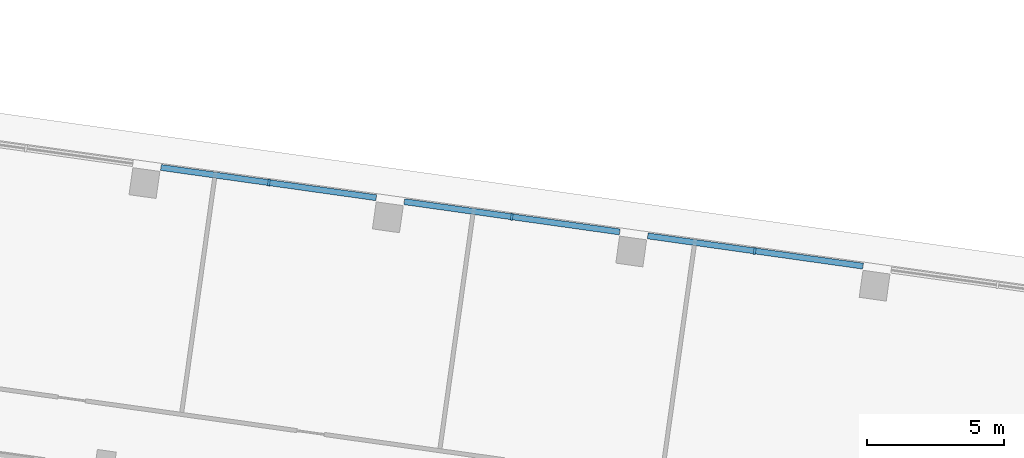
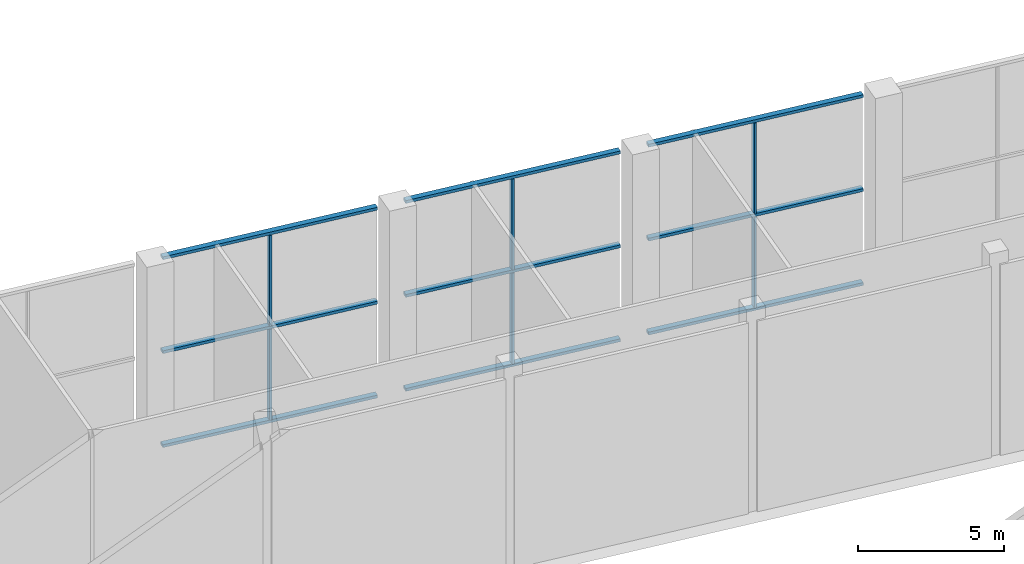
# One storey, part 3 of 31: 15 members, 1 element without a shape of its own.
"""IFC4 building model written with IfcOpenShell, lengths in metres."""

from ifc_helpers import new_model, si_unit, direction, frame, origin, origin_2d, place, context, subcontext, project, spatial, rectangle, extrude, material, material_profile, profile_set, type_object, element, aggregate, save


model = new_model("IFC4")

# Units and contexts
model_context = context("Model", 3, precision=1e-05, world=origin(), true_north=direction((0.0, 1.0)))
body_context = subcontext(model_context, "Body", "Model", "MODEL_VIEW")
ifc_project = project(units=[si_unit("LENGTHUNIT", "METRE"), si_unit("AREAUNIT", "SQUARE_METRE"), si_unit("VOLUMEUNIT", "CUBIC_METRE"), si_unit("PLANEANGLEUNIT", "RADIAN"), si_unit("MASSUNIT", "GRAM", prefix="KILO")], contexts=[model_context])

# Site, building, storey
site_placement = place(None, origin())
site = spatial("IfcSite", under=ifc_project, at=site_placement, CompositionType="ELEMENT")
building_placement = place(site_placement, origin())
building = spatial("IfcBuilding", under=site, at=building_placement, Name="Mirante Cascada Hotel Towers", CompositionType="ELEMENT")
storey_placement = place(building_placement, frame((0.0, 0.0, 9.0)))
storey = spatial("IfcBuildingStorey", under=building, at=storey_placement, Name="L01", CompositionType="ELEMENT", Elevation=9.0)

# Curtain wall, members
ifc_material_1 = material(Name="Aluminium mullion and transom frame with clear laminated glass", Category="aluminium")
curtain_wall_type = type_object("IfcCurtainWallType", Name="Podium curtain wall ECW3", PredefinedType="NOTDEFINED", material=ifc_material_1)
curtain_wall_placement = place(storey_placement, origin())
curtain_wall = element("IfcCurtainWall", 1, at=curtain_wall_placement, inside=storey, type_object=curtain_wall_type, Name="Front podium glazing T1 L01", PredefinedType="NOTDEFINED")
ifc_material_2 = material(Name="Anodised aluminium extrusion", Category="aluminium")
ifc_material_profile_1 = material_profile(ifc_material_2, rectangle(XDim=0.26, YDim=0.08, at=origin_2d()), Name="ECW3 MULLION 80x260")
ifc_profile_set_1 = profile_set([ifc_material_profile_1], Name="Anodised aluminium extrusion")
member_type_1 = type_object("IfcMemberType", Name="ECW3 mullion 80x260", PredefinedType="MULLION", material=ifc_profile_set_1)
member_1_placement = place(storey_placement, frame((-67.4737, 22.3018, 0.12), z_axis=(0.0, 0.0, 1.0), x_axis=(0.1391731, 0.9902681, 0.0)))
member_1 = element("IfcMember", 2, at=member_1_placement, type_object=member_type_1, Name="ECW3 mullion 7", PredefinedType="MULLION", context=body_context, shape_type="SweptSolid", body=[
    extrude(rectangle(XDim=0.26, YDim=0.08, at=origin_2d()), origin(), (0.0, 0.0, 1.0), 3.82),
])
member_2_placement = place(storey_placement, frame((-67.4737, 22.3018, 4.06), z_axis=(0.0, 0.0, 1.0), x_axis=(0.1391731, 0.9902681, 0.0)))
member_2 = element("IfcMember", 3, at=member_2_placement, type_object=member_type_1, Name="ECW3 mullion 7", PredefinedType="MULLION", context=body_context, shape_type="SweptSolid", body=[
    extrude(rectangle(XDim=0.26, YDim=0.08, at=origin_2d()), origin(), (0.0, 0.0, 1.0), 3.82),
])
member_3_placement = place(storey_placement, frame((-58.5788, 21.0517, 0.12), z_axis=(0.0, 0.0, 1.0), x_axis=(0.1391731, 0.9902681, 0.0)))
member_3 = element("IfcMember", 4, at=member_3_placement, type_object=member_type_1, Name="ECW3 mullion 9", PredefinedType="MULLION", context=body_context, shape_type="SweptSolid", body=[
    extrude(rectangle(XDim=0.26, YDim=0.08, at=origin_2d()), origin(), (0.0, 0.0, 1.0), 3.82),
])
member_4_placement = place(storey_placement, frame((-58.5788, 21.0517, 4.06), z_axis=(0.0, 0.0, 1.0), x_axis=(0.1391731, 0.9902681, 0.0)))
member_4 = element("IfcMember", 5, at=member_4_placement, type_object=member_type_1, Name="ECW3 mullion 9", PredefinedType="MULLION", context=body_context, shape_type="SweptSolid", body=[
    extrude(rectangle(XDim=0.26, YDim=0.08, at=origin_2d()), origin(), (0.0, 0.0, 1.0), 3.82),
])
member_5_placement = place(storey_placement, frame((-49.684, 19.8017, 0.12), z_axis=(0.0, 0.0, 1.0), x_axis=(0.1391731, 0.9902681, 0.0)))
member_5 = element("IfcMember", 6, at=member_5_placement, type_object=member_type_1, Name="ECW3 mullion 11", PredefinedType="MULLION", context=body_context, shape_type="SweptSolid", body=[
    extrude(rectangle(XDim=0.26, YDim=0.08, at=origin_2d()), origin(), (0.0, 0.0, 1.0), 3.82),
])
member_6_placement = place(storey_placement, frame((-49.684, 19.8017, 4.06), z_axis=(0.0, 0.0, 1.0), x_axis=(0.1391731, 0.9902681, 0.0)))
member_6 = element("IfcMember", 7, at=member_6_placement, type_object=member_type_1, Name="ECW3 mullion 11", PredefinedType="MULLION", context=body_context, shape_type="SweptSolid", body=[
    extrude(rectangle(XDim=0.26, YDim=0.08, at=origin_2d()), origin(), (0.0, 0.0, 1.0), 3.82),
])
ifc_material_3 = material(Name="Anodised aluminium extrusion", Category="aluminium")
ifc_material_profile_2 = material_profile(ifc_material_3, rectangle(XDim=0.22, YDim=0.12, at=origin_2d()), Name="ECW3 TRANSOM 120x220")
ifc_profile_set_2 = profile_set([ifc_material_profile_2], Name="Anodised aluminium extrusion")
member_type_2 = type_object("IfcMemberType", Name="ECW3 transom 120x220", PredefinedType="USERDEFINED", material=ifc_profile_set_2)
member_7_placement = place(storey_placement, frame((-71.4237, 22.857, 0.06), z_axis=(0.9902683, -0.1391715, 0.0), x_axis=(0.1391715, 0.9902683, 0.0)))
member_7 = element("IfcMember", 8, at=member_7_placement, type_object=member_type_2, Name="ECW3 sill transom", ObjectType="TRANSOM", PredefinedType="USERDEFINED", context=body_context, shape_type="SweptSolid", body=[
    extrude(rectangle(XDim=0.22, YDim=0.12, at=origin_2d()), origin(), (0.0, 0.0, 1.0), 7.96),
])
member_8_placement = place(storey_placement, frame((-62.5113, 21.6044, 0.06), z_axis=(0.9902683, -0.1391715, 0.0), x_axis=(0.1391715, 0.9902683, 0.0)))
member_8 = element("IfcMember", 9, at=member_8_placement, type_object=member_type_2, Name="ECW3 sill transom", ObjectType="TRANSOM", PredefinedType="USERDEFINED", context=body_context, shape_type="SweptSolid", body=[
    extrude(rectangle(XDim=0.22, YDim=0.12, at=origin_2d()), origin(), (0.0, 0.0, 1.0), 7.96),
])
member_9_placement = place(storey_placement, frame((-53.5989, 20.3519, 0.06), z_axis=(0.9902666, -0.1391838, 0.0), x_axis=(0.1391838, 0.9902666, 0.0)))
member_9 = element("IfcMember", 10, at=member_9_placement, type_object=member_type_2, Name="ECW3 sill transom", ObjectType="TRANSOM", PredefinedType="USERDEFINED", context=body_context, shape_type="SweptSolid", body=[
    extrude(rectangle(XDim=0.22, YDim=0.12, at=origin_2d()), origin(), (0.0, 0.0, 1.0), 7.96),
])
member_10_placement = place(storey_placement, frame((-71.4237, 22.857, 4.0), z_axis=(0.9902683, -0.1391715, 0.0), x_axis=(0.1391715, 0.9902683, 0.0)))
member_10 = element("IfcMember", 11, at=member_10_placement, type_object=member_type_2, Name="ECW3 intermediate transom", ObjectType="TRANSOM", PredefinedType="USERDEFINED", context=body_context, shape_type="SweptSolid", body=[
    extrude(rectangle(XDim=0.22, YDim=0.12, at=origin_2d()), origin(), (0.0, 0.0, 1.0), 7.96),
])
member_11_placement = place(storey_placement, frame((-62.5113, 21.6044, 4.0), z_axis=(0.9902683, -0.1391715, 0.0), x_axis=(0.1391715, 0.9902683, 0.0)))
member_11 = element("IfcMember", 12, at=member_11_placement, type_object=member_type_2, Name="ECW3 intermediate transom", ObjectType="TRANSOM", PredefinedType="USERDEFINED", context=body_context, shape_type="SweptSolid", body=[
    extrude(rectangle(XDim=0.22, YDim=0.12, at=origin_2d()), origin(), (0.0, 0.0, 1.0), 7.96),
])
member_12_placement = place(storey_placement, frame((-53.5989, 20.3519, 4.0), z_axis=(0.9902666, -0.1391838, 0.0), x_axis=(0.1391838, 0.9902666, 0.0)))
member_12 = element("IfcMember", 13, at=member_12_placement, type_object=member_type_2, Name="ECW3 intermediate transom", ObjectType="TRANSOM", PredefinedType="USERDEFINED", context=body_context, shape_type="SweptSolid", body=[
    extrude(rectangle(XDim=0.22, YDim=0.12, at=origin_2d()), origin(), (0.0, 0.0, 1.0), 7.96),
])
member_13_placement = place(storey_placement, frame((-71.4237, 22.857, 7.94), z_axis=(0.9902683, -0.1391715, 0.0), x_axis=(0.1391715, 0.9902683, 0.0)))
member_13 = element("IfcMember", 14, at=member_13_placement, type_object=member_type_2, Name="ECW3 head transom", ObjectType="TRANSOM", PredefinedType="USERDEFINED", context=body_context, shape_type="SweptSolid", body=[
    extrude(rectangle(XDim=0.22, YDim=0.12, at=origin_2d()), origin(), (0.0, 0.0, 1.0), 7.96),
])
member_14_placement = place(storey_placement, frame((-62.5113, 21.6044, 7.94), z_axis=(0.9902683, -0.1391715, 0.0), x_axis=(0.1391715, 0.9902683, 0.0)))
member_14 = element("IfcMember", 15, at=member_14_placement, type_object=member_type_2, Name="ECW3 head transom", ObjectType="TRANSOM", PredefinedType="USERDEFINED", context=body_context, shape_type="SweptSolid", body=[
    extrude(rectangle(XDim=0.22, YDim=0.12, at=origin_2d()), origin(), (0.0, 0.0, 1.0), 7.96),
])
member_15_placement = place(storey_placement, frame((-53.5989, 20.3519, 7.94), z_axis=(0.9902666, -0.1391838, 0.0), x_axis=(0.1391838, 0.9902666, 0.0)))
member_15 = element("IfcMember", 16, at=member_15_placement, type_object=member_type_2, Name="ECW3 head transom", ObjectType="TRANSOM", PredefinedType="USERDEFINED", context=body_context, shape_type="SweptSolid", body=[
    extrude(rectangle(XDim=0.22, YDim=0.12, at=origin_2d()), origin(), (0.0, 0.0, 1.0), 7.96),
])
aggregate(curtain_wall, [member_7, member_8, member_9, member_10, member_11, member_12, member_13, member_14, member_15, member_1, member_2, member_3, member_4, member_5, member_6])

save(model, "model.ifc")
